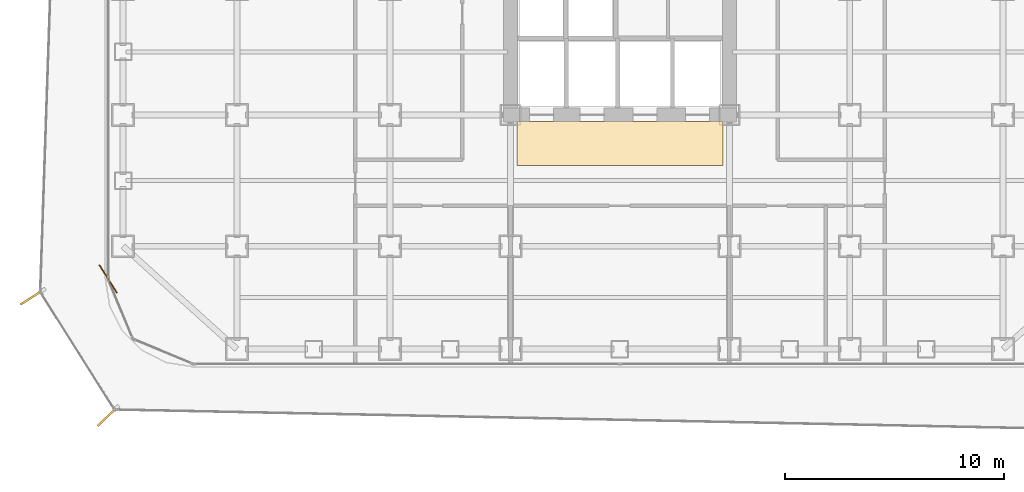
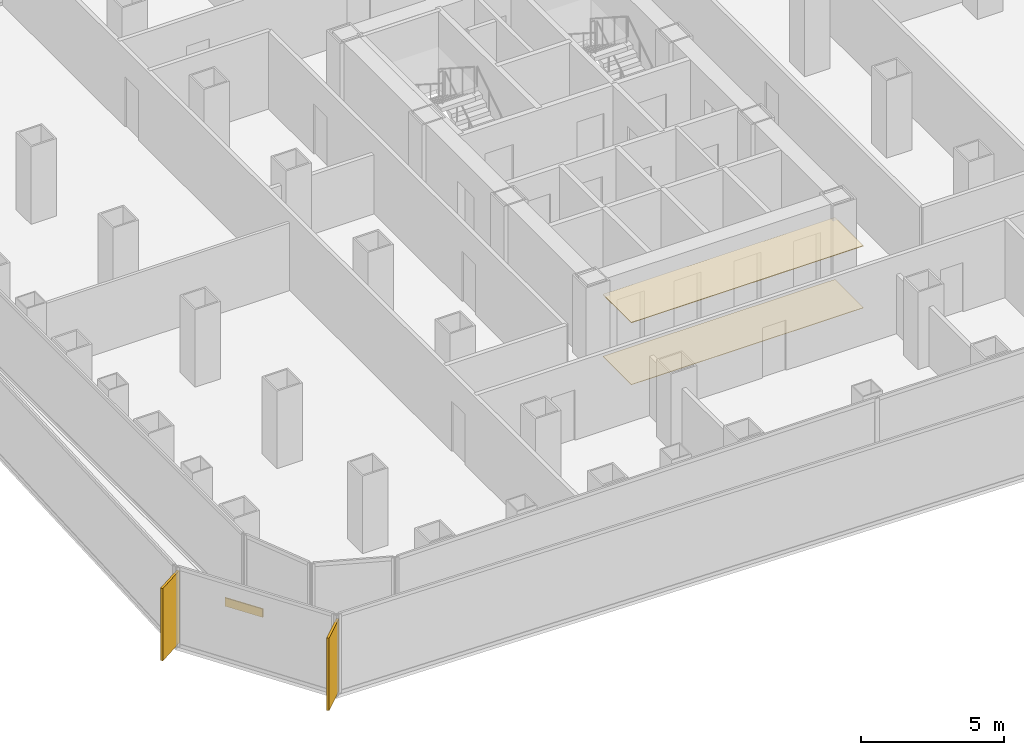
# One storey, part 19 of 21: 3 coverings, 2 shading devices.
"""IFC4 building model written with IfcOpenShell, lengths in metres."""

from ifc_helpers import new_model, si_unit, direction, frame, origin, origin_2d, place, context, subcontext, project, spatial, polyline, rectangle, outline, extrude, source, transform, mapped, material, layer, layer_set, type_object, element, save


model = new_model("IFC4")

# Units and contexts
model_context = context("Model", 3, precision=1e-05, world=origin(), true_north=direction((0.0, 1.0)))
body_context = subcontext(model_context, "Body", "Model", "MODEL_VIEW")
ifc_project = project(units=[si_unit("LENGTHUNIT", "METRE"), si_unit("AREAUNIT", "SQUARE_METRE"), si_unit("VOLUMEUNIT", "CUBIC_METRE"), si_unit("PLANEANGLEUNIT", "RADIAN"), si_unit("MASSUNIT", "GRAM", prefix="KILO")], contexts=[model_context])

# Site, building, storey
site_placement = place(None, origin())
site = spatial("IfcSite", under=ifc_project, at=site_placement, CompositionType="ELEMENT")
building_placement = place(site_placement, origin())
building = spatial("IfcBuilding", under=site, at=building_placement, Name="Kolveth Station Tower", CompositionType="ELEMENT")
storey_placement = place(building_placement, frame((0.0, 0.0, 29.699951171875)))
storey = spatial("IfcBuildingStorey", under=building, at=storey_placement, Name="L07", CompositionType="ELEMENT", Elevation=29.699951171875)

# Coverings
ifc_material_1 = material(Name="Acoustic mineral-fibre ceiling tile")
ifc_layer_1 = layer(ifc_material_1, 0.02490234375)
ifc_layer_set_1 = layer_set([ifc_layer_1], Name="Acoustic mineral-fibre ceiling tile")
covering_type_1 = type_object("IfcCoveringType", Name="Ceil_CL1", PredefinedType="CEILING", material=ifc_layer_set_1)
covering_1_placement = place(storey_placement, frame((0.0, 0.0, 2.650146484375)))
element("IfcCovering", 1, at=covering_1_placement, inside=storey, type_object=covering_type_1, Name="L07 Lift Lobby Suspended Ceiling", PredefinedType="CEILING", context=body_context, shape_type="SweptSolid", body=[
    extrude(outline(polyline([(18.800048828125, 9.199951171875), (28.199951171875, 9.199951171875), (28.199951171875, 11.199951171875), (18.800048828125, 11.199951171875), (18.800048828125, 9.199951171875)])), origin(), (0.0, 0.0, 1.0), 0.02490234375),
])
ifc_material_2 = material(Name="Honed terrazzo flooring")
ifc_layer_2 = layer(ifc_material_2, 0.02001953125)
ifc_layer_set_2 = layer_set([ifc_layer_2], Name="Honed terrazzo flooring")
covering_type_2 = type_object("IfcCoveringType", Name="Floor_FL1", PredefinedType="FLOORING", material=ifc_layer_set_2)
covering_2_placement = place(storey_placement, origin())
element("IfcCovering", 2, at=covering_2_placement, inside=storey, type_object=covering_type_2, Name="L07 Lift Lobby Floor Finish", PredefinedType="FLOORING", context=body_context, shape_type="SweptSolid", body=[
    extrude(outline(polyline([(18.800048828125, 9.199951171875), (28.199951171875, 9.199951171875), (28.199951171875, 11.199951171875), (18.800048828125, 11.199951171875), (18.800048828125, 9.199951171875)])), origin(), (0.0, 0.0, 1.0), 0.02001953125),
])

# Shading devices
ifc_material_3 = material(Name="Black anodized aluminium 6063-T6", Category="aluminium")
shading_device_type = type_object("IfcShadingDeviceType", Name="FIN_VF1", PredefinedType="USERDEFINED", material=ifc_material_3)
shared_shape_1 = source(origin(), body_context, "Body", "SweptSolid", [
    extrude(rectangle(XDim=1.25, YDim=0.090087890625, at=origin_2d()), origin(), (0.0, 0.0, 1.0), 3.10009765625),
])
for number, where, z_axis, x_axis, name in (
    (3, (-3.35693359375, 3.175048828125, 0.0), (0.0, 0.0, 1.0), (-0.843860006976, -0.536563405971, 0.0), "L07 Dark-Aluminium Solar Fin 7"),
    (4, (0.0869140625, -2.278076171875, 0.0), (0.0, 0.0, 1.0), (-0.72055111168, -0.693401828276, 0.0), "L07 Dark-Aluminium Solar Fin 8"),
):
    element("IfcShadingDevice", number, at=place(storey_placement, frame(where, z_axis=z_axis, x_axis=x_axis)), inside=storey, type_object=shading_device_type, Name=name, ObjectType="FIN", PredefinedType="USERDEFINED", context=body_context, shape_type="MappedRepresentation", body=[
        mapped(shared_shape_1, transform((0.0, 0.0, 0.0), x_axis=(1.0, 0.0, 0.0), y_axis=(0.0, 1.0, 0.0), z_axis=(0.0, 0.0, 1.0), scale=1.0)),
    ])

# Covering
ifc_material_4 = material(Name="Charcoal anodized aluminium spandrel cladding", Category="aluminium")
ifc_layer_3 = layer(ifc_material_4, 0.044921875)
ifc_layer_set_3 = layer_set([ifc_layer_3], Name="Charcoal anodized aluminium spandrel cladding")
covering_type_3 = type_object("IfcCoveringType", Name="Clad_CD1", PredefinedType="CLADDING", material=ifc_layer_set_3)
shared_shape_2 = source(origin(), body_context, "Body", "SweptSolid", [
    extrude(rectangle(XDim=1.5, YDim=0.044921875, at=origin_2d()), origin(), (0.0, 0.0, 1.0), 0.360107421875),
])
covering_3_placement = place(storey_placement, frame((0.1201171875, 4.0, 0.0), z_axis=(0.0, 0.0, 1.0), x_axis=(0.536563405971, -0.843860006976, 0.0)))
element("IfcCovering", 5, at=covering_3_placement, inside=storey, type_object=covering_type_3, Name="L07 Spandrel Edge Cladding 7", PredefinedType="CLADDING", context=body_context, shape_type="MappedRepresentation", body=[
    mapped(shared_shape_2, transform((0.0, 0.0, 0.0), x_axis=(1.0, 0.0, 0.0), y_axis=(0.0, 1.0, 0.0), z_axis=(0.0, 0.0, 1.0), scale=1.0)),
])

save(model, "model.ifc")
